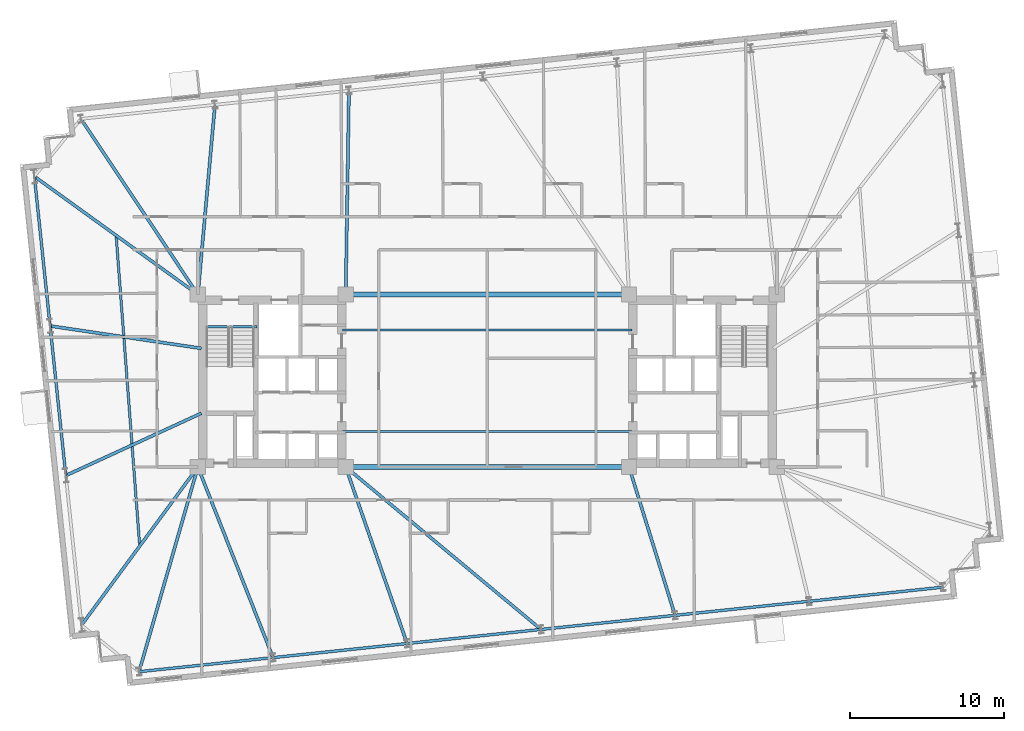
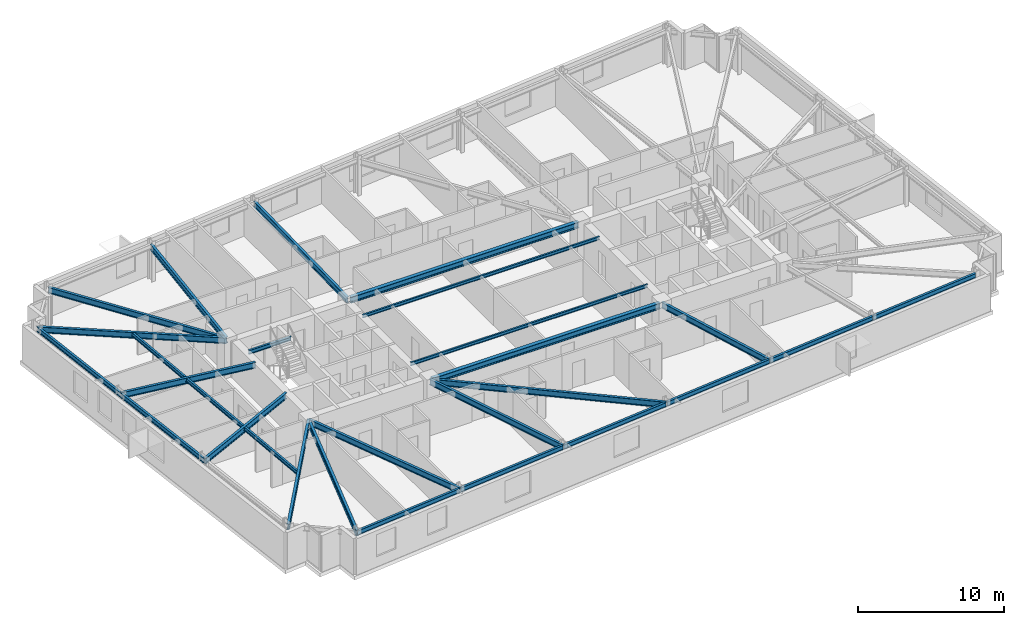
# One storey, part 5 of 19: 26 beams.
"""IFC4 building model written with IfcOpenShell, lengths in metres."""

from ifc_helpers import new_model, si_unit, direction, frame, origin, origin_2d, place, context, subcontext, project, spatial, i_section, extrude, material, material_profile, profile_set, type_object, element, save


model = new_model("IFC4")

# Units and contexts
model_context = context("Model", 3, precision=1e-05, world=origin(), true_north=direction((0.0, 1.0)))
body_context = subcontext(model_context, "Body", "Model", "MODEL_VIEW")
ifc_project = project(units=[si_unit("LENGTHUNIT", "METRE"), si_unit("AREAUNIT", "SQUARE_METRE"), si_unit("VOLUMEUNIT", "CUBIC_METRE"), si_unit("PLANEANGLEUNIT", "RADIAN"), si_unit("MASSUNIT", "GRAM", prefix="KILO")], contexts=[model_context])

# Site, building, storey
site_placement = place(None, origin())
site = spatial("IfcSite", under=ifc_project, at=site_placement, CompositionType="ELEMENT")
building_placement = place(site_placement, origin())
building = spatial("IfcBuilding", under=site, at=building_placement, Name="Qobustan Lattice House", CompositionType="ELEMENT")
storey_placement = place(building_placement, frame((0.0, 0.0, 85.699951171875)))
storey = spatial("IfcBuildingStorey", under=building, at=storey_placement, Name="L23", CompositionType="ELEMENT", Elevation=85.699951171875)

# Beams
ifc_material_1 = material(Name="Steel S355", Category="steel")
ifc_material_profile_1 = material_profile(ifc_material_1, i_section(OverallWidth=0.300048828125, OverallDepth=0.5, WebThickness=0.014404296875, FlangeThickness=0.028076171875, FilletRadius=0.027099609375, at=origin_2d()), Name="HEB500")
ifc_profile_set_1 = profile_set([ifc_material_profile_1], Name="Steel S355")
beam_type_1 = type_object("IfcBeamType", Name="BM-CG-HEB500", PredefinedType="USERDEFINED", material=ifc_profile_set_1)
for number, where, z_axis, x_axis, name in (
    (1, (-9.050048828125, -5.60009765625, 2.795166015625), (1.0, 0.0, 0.0), (0.0, 1.0, 0.0), "L23 core spine girder CG-CS"),
    (2, (-9.050048828125, 5.60009765625, 2.795166015625), (1.0, 0.0, 0.0), (0.0, 1.0, 0.0), "L23 core spine girder CG-CN"),
):
    element("IfcBeam", number, at=place(storey_placement, frame(where, z_axis=z_axis, x_axis=x_axis)), inside=storey, type_object=beam_type_1, Name=name, ObjectType="GIRDER", PredefinedType="USERDEFINED", context=body_context, shape_type="SweptSolid", body=[
        extrude(i_section(OverallWidth=0.300048828125, OverallDepth=0.5, WebThickness=0.014404296875, FlangeThickness=0.028076171875, FilletRadius=0.027099609375, at=origin_2d()), origin(), (0.0, 0.0, 1.0), 18.10009765625),
    ])
ifc_material_2 = material(Name="Steel S355", Category="steel")
ifc_material_profile_2 = material_profile(ifc_material_2, i_section(OverallWidth=0.199951171875, OverallDepth=0.5, WebThickness=0.01025390625, FlangeThickness=0.01611328125, FilletRadius=0.02099609375, at=origin_2d()), Name="IPE500")
ifc_profile_set_2 = profile_set([ifc_material_profile_2], Name="Steel S355")
beam_type_2 = type_object("IfcBeamType", Name="BM-FLG-IPE500", PredefinedType="USERDEFINED", material=ifc_profile_set_2)
beam_1_placement = place(storey_placement, frame((-22.612548828125, -18.87109375, 2.795166015625), z_axis=(0.276115177845, 0.961124554136, 0.0), x_axis=(-0.961124554136, 0.276115177845, 0.0)))
element("IfcBeam", 3, at=beam_1_placement, inside=storey, type_object=beam_type_2, Name="L23 primary floor girder RAD-S1W", ObjectType="GIRDER", PredefinedType="USERDEFINED", context=body_context, shape_type="SweptSolid", body=[
    extrude(i_section(OverallWidth=0.199951171875, OverallDepth=0.5, WebThickness=0.01025390625, FlangeThickness=0.01611328125, FilletRadius=0.02099609375, at=origin_2d()), origin(), (0.0, 0.0, 1.0), 13.782958984375),
])
beam_2_placement = place(storey_placement, frame((-13.926513671875, -17.95703125, 2.795166015625), z_axis=(-0.366884358141, 0.930266557365, 0.0), x_axis=(-0.930266557365, -0.366884358141, 0.0)))
element("IfcBeam", 4, at=beam_2_placement, inside=storey, type_object=beam_type_2, Name="L23 primary floor girder RAD-S2", ObjectType="GIRDER", PredefinedType="USERDEFINED", context=body_context, shape_type="SweptSolid", body=[
    extrude(i_section(OverallWidth=0.199951171875, OverallDepth=0.5, WebThickness=0.01025390625, FlangeThickness=0.01611328125, FilletRadius=0.02099609375, at=origin_2d()), origin(), (0.0, 0.0, 1.0), 13.25830078125),
])
beam_3_placement = place(storey_placement, frame((-5.223388671875, -17.0419921875, 2.795166015625), z_axis=(-0.328289533586, 0.94457714462, 0.0), x_axis=(-0.94457714462, -0.328289533586, 0.0)))
element("IfcBeam", 5, at=beam_3_placement, inside=storey, type_object=beam_type_2, Name="L23 primary floor girder RAD-S3", ObjectType="GIRDER", PredefinedType="USERDEFINED", context=body_context, shape_type="SweptSolid", body=[
    extrude(i_section(OverallWidth=0.199951171875, OverallDepth=0.5, WebThickness=0.01025390625, FlangeThickness=0.01611328125, FilletRadius=0.02099609375, at=origin_2d()), origin(), (0.0, 0.0, 1.0), 12.08837890625),
])
beam_4_placement = place(storey_placement, frame((3.467529296875, -16.135009765625, 2.795166015625), z_axis=(-0.768858311844, 0.639419186691, 0.0), x_axis=(-0.639419186691, -0.768858311844, 0.0)))
element("IfcBeam", 6, at=beam_4_placement, inside=storey, type_object=beam_type_2, Name="L23 primary floor girder RAD-S4", ObjectType="GIRDER", PredefinedType="USERDEFINED", context=body_context, shape_type="SweptSolid", body=[
    extrude(i_section(OverallWidth=0.199951171875, OverallDepth=0.5, WebThickness=0.01025390625, FlangeThickness=0.01611328125, FilletRadius=0.02099609375, at=origin_2d()), origin(), (0.0, 0.0, 1.0), 16.450927734375),
])
beam_5_placement = place(storey_placement, frame((12.181396484375, -15.212646484375, 2.795166015625), z_axis=(-0.296219460995, 0.955119903953, 0.0), x_axis=(-0.955119903953, -0.296219460995, 0.0)))
element("IfcBeam", 7, at=beam_5_placement, inside=storey, type_object=beam_type_2, Name="L23 primary floor girder RAD-S5", ObjectType="GIRDER", PredefinedType="USERDEFINED", context=body_context, shape_type="SweptSolid", body=[
    extrude(i_section(OverallWidth=0.199951171875, OverallDepth=0.5, WebThickness=0.01025390625, FlangeThickness=0.01611328125, FilletRadius=0.02099609375, at=origin_2d()), origin(), (0.0, 0.0, 1.0), 10.03955078125),
])
beam_6_placement = place(storey_placement, frame((-26.37890625, 16.986328125, 2.795166015625), z_axis=(0.5540893103, -0.832457227857, 0.0), x_axis=(0.832457227857, 0.5540893103, 0.0)))
element("IfcBeam", 8, at=beam_6_placement, inside=storey, type_object=beam_type_2, Name="L23 primary floor girder RAD-N7W", ObjectType="GIRDER", PredefinedType="USERDEFINED", context=body_context, shape_type="SweptSolid", body=[
    extrude(i_section(OverallWidth=0.199951171875, OverallDepth=0.5, WebThickness=0.01025390625, FlangeThickness=0.01611328125, FilletRadius=0.02099609375, at=origin_2d()), origin(), (0.0, 0.0, 1.0), 13.65283203125),
])
beam_7_placement = place(storey_placement, frame((-17.693115234375, 17.89697265625, 2.795166015625), z_axis=(-0.089658533603, -0.995972563554, 0.0), x_axis=(0.995972563554, -0.089658533603, 0.0)))
element("IfcBeam", 9, at=beam_7_placement, inside=storey, type_object=beam_type_2, Name="L23 primary floor girder RAD-N6", ObjectType="GIRDER", PredefinedType="USERDEFINED", context=body_context, shape_type="SweptSolid", body=[
    extrude(i_section(OverallWidth=0.199951171875, OverallDepth=0.5, WebThickness=0.01025390625, FlangeThickness=0.01611328125, FilletRadius=0.02099609375, at=origin_2d()), origin(), (0.0, 0.0, 1.0), 12.321533203125),
])
beam_8_placement = place(storey_placement, frame((-8.9892578125, 18.8115234375, 2.795166015625), z_axis=(-0.015957384359, -0.999872672836, 0.0), x_axis=(0.999872672836, -0.015957384359, 0.0)))
element("IfcBeam", 10, at=beam_8_placement, inside=storey, type_object=beam_type_2, Name="L23 primary floor girder RAD-N5", ObjectType="GIRDER", PredefinedType="USERDEFINED", context=body_context, shape_type="SweptSolid", body=[
    extrude(i_section(OverallWidth=0.199951171875, OverallDepth=0.5, WebThickness=0.01025390625, FlangeThickness=0.01611328125, FilletRadius=0.02099609375, at=origin_2d()), origin(), (0.0, 0.0, 1.0), 13.188232421875),
])
beam_9_placement = place(storey_placement, frame((-29.398681640625, 13.255859375, 2.795166015625), z_axis=(0.810627425394, -0.585562274399, 0.0), x_axis=(0.585562274399, 0.810627425394, 0.0)))
element("IfcBeam", 11, at=beam_9_placement, inside=storey, type_object=beam_type_2, Name="L23 primary floor girder RAD-W1", ObjectType="GIRDER", PredefinedType="USERDEFINED", context=body_context, shape_type="SweptSolid", body=[
    extrude(i_section(OverallWidth=0.199951171875, OverallDepth=0.5, WebThickness=0.01025390625, FlangeThickness=0.01611328125, FilletRadius=0.02099609375, at=origin_2d()), origin(), (0.0, 0.0, 1.0), 13.049560546875),
])
beam_10_placement = place(storey_placement, frame((-28.373291015625, 3.5537109375, 2.795166015625), z_axis=(0.989228195022, -0.146381618294, 0.0), x_axis=(0.146381618294, 0.989228195022, 0.0)))
element("IfcBeam", 12, at=beam_10_placement, inside=storey, type_object=beam_type_2, Name="L23 primary floor girder RAD-W2", ObjectType="GIRDER", PredefinedType="USERDEFINED", context=body_context, shape_type="SweptSolid", body=[
    extrude(i_section(OverallWidth=0.199951171875, OverallDepth=0.5, WebThickness=0.01025390625, FlangeThickness=0.01611328125, FilletRadius=0.02099609375, at=origin_2d()), origin(), (0.0, 0.0, 1.0), 9.9052734375),
])
beam_11_placement = place(storey_placement, frame((-27.3544921875, -6.1455078125, 2.795166015625), z_axis=(0.908664928826, 0.417526103521, 0.0), x_axis=(-0.417526103521, 0.908664928826, 0.0)))
element("IfcBeam", 13, at=beam_11_placement, inside=storey, type_object=beam_type_2, Name="L23 primary floor girder RAD-W3", ObjectType="GIRDER", PredefinedType="USERDEFINED", context=body_context, shape_type="SweptSolid", body=[
    extrude(i_section(OverallWidth=0.199951171875, OverallDepth=0.5, WebThickness=0.01025390625, FlangeThickness=0.01611328125, FilletRadius=0.02099609375, at=origin_2d()), origin(), (0.0, 0.0, 1.0), 9.66455078125),
])
beam_12_placement = place(storey_placement, frame((-26.34130859375, -15.848876953125, 2.795166015625), z_axis=(0.592669703312, 0.805445605101, 0.0), x_axis=(-0.805445605101, 0.592669703312, 0.0)))
element("IfcBeam", 14, at=beam_12_placement, inside=storey, type_object=beam_type_2, Name="L23 primary floor girder RAD-W4", ObjectType="GIRDER", PredefinedType="USERDEFINED", context=body_context, shape_type="SweptSolid", body=[
    extrude(i_section(OverallWidth=0.199951171875, OverallDepth=0.5, WebThickness=0.01025390625, FlangeThickness=0.01611328125, FilletRadius=0.02099609375, at=origin_2d()), origin(), (0.0, 0.0, 1.0), 12.699462890625),
])
ifc_material_3 = material(Name="Steel S355", Category="steel")
ifc_material_profile_3 = material_profile(ifc_material_3, i_section(OverallWidth=0.135009765625, OverallDepth=0.27001953125, WebThickness=0.006591796875, FlangeThickness=0.01025390625, FilletRadius=0.014892578125, at=origin_2d()), Name="IPE270")
ifc_profile_set_3 = profile_set([ifc_material_profile_3], Name="Steel S355")
beam_type_3 = type_object("IfcBeamType", Name="BM-JST-IPE270", PredefinedType="JOIST", material=ifc_profile_set_3)
for number, where, z_axis, x_axis, name in (
    (15, (-9.39990234375, -3.300048828125, 2.91015625), (1.0, 0.0, 0.0), (0.0, 1.0, 0.0), "L23 central span floor joist 1"),
    (16, (-9.39990234375, 3.300048828125, 2.91015625), (1.0, 0.0, 0.0), (0.0, 1.0, 0.0), "L23 central span floor joist 2"),
):
    element("IfcBeam", number, at=place(storey_placement, frame(where, z_axis=z_axis, x_axis=x_axis)), inside=storey, type_object=beam_type_3, Name=name, PredefinedType="JOIST", context=body_context, shape_type="SweptSolid", body=[
        extrude(i_section(OverallWidth=0.135009765625, OverallDepth=0.27001953125, WebThickness=0.006591796875, FlangeThickness=0.01025390625, FilletRadius=0.014892578125, at=origin_2d()), origin(), (0.0, 0.0, 1.0), 18.7998046875),
    ])
ifc_material_4 = material(Name="Steel S355", Category="steel")
ifc_material_profile_4 = material_profile(ifc_material_4, i_section(OverallWidth=0.159912109375, OverallDepth=0.330078125, WebThickness=0.007568359375, FlangeThickness=0.011474609375, FilletRadius=0.01806640625, at=origin_2d()), Name="IPE330")
ifc_profile_set_4 = profile_set([ifc_material_profile_4], Name="Steel S355")
beam_type_4 = type_object("IfcBeamType", Name="BM-SEC-IPE330", PredefinedType="BEAM", material=ifc_profile_set_4)
beam_13_placement = place(storey_placement, frame((-24.109619140625, 9.435302734375, 2.880126953125), z_axis=(0.07571166528, -0.997129752711, 0.0), x_axis=(0.997129752711, 0.07571166528, 0.0)))
element("IfcBeam", 17, at=beam_13_placement, inside=storey, type_object=beam_type_4, Name="L23 west wing secondary beam", PredefinedType="BEAM", context=body_context, shape_type="SweptSolid", body=[
    extrude(i_section(OverallWidth=0.159912109375, OverallDepth=0.330078125, WebThickness=0.007568359375, FlangeThickness=0.011474609375, FilletRadius=0.01806640625, at=origin_2d()), origin(), (0.0, 0.0, 1.0), 20.22802734375),
])
ifc_material_5 = material(Name="Steel S355", Category="steel")
ifc_material_profile_5 = material_profile(ifc_material_5, i_section(OverallWidth=0.159912109375, OverallDepth=0.330078125, WebThickness=0.007568359375, FlangeThickness=0.011474609375, FilletRadius=0.01806640625, at=origin_2d()), Name="IPE330")
ifc_profile_set_5 = profile_set([ifc_material_profile_5], Name="Steel S355")
beam_type_5 = type_object("IfcBeamType", Name="BM-SPD-IPE330", PredefinedType="SPANDREL", material=ifc_profile_set_5)
beam_14_placement = place(storey_placement, frame((-18.300048828125, 3.52001953125, 2.880126953125), z_axis=(1.0, 0.0, 0.0), x_axis=(0.0, 1.0, 0.0)))
element("IfcBeam", 18, at=beam_14_placement, inside=storey, type_object=beam_type_5, Name="L23 west stair landing trimmer beam", PredefinedType="SPANDREL", context=body_context, shape_type="SweptSolid", body=[
    extrude(i_section(OverallWidth=0.159912109375, OverallDepth=0.330078125, WebThickness=0.007568359375, FlangeThickness=0.011474609375, FilletRadius=0.01806640625, at=origin_2d()), origin(), (0.0, 0.0, 1.0), 3.35009765625),
])
ifc_material_6 = material(Name="Steel S355", Category="steel")
ifc_material_profile_6 = material_profile(ifc_material_6, i_section(OverallWidth=0.179931640625, OverallDepth=0.39990234375, WebThickness=0.008544921875, FlangeThickness=0.013427734375, FilletRadius=0.02099609375, at=origin_2d()), Name="IPE400")
ifc_profile_set_6 = profile_set([ifc_material_profile_6], Name="Steel S355")
beam_type_6 = type_object("IfcBeamType", Name="BM-SPD-IPE400", PredefinedType="SPANDREL", material=ifc_profile_set_6)
beam_15_placement = place(storey_placement, frame((-22.594482421875, -18.892333984375, 2.844970703125), z_axis=(0.994521279781, 0.10453432002, 0.0), x_axis=(-0.10453432002, 0.994521279781, 0.0)))
element("IfcBeam", 19, at=beam_15_placement, inside=storey, type_object=beam_type_6, Name="L23 perimeter spandrel S1-S2", PredefinedType="SPANDREL", context=body_context, shape_type="SweptSolid", body=[
    extrude(i_section(OverallWidth=0.179931640625, OverallDepth=0.39990234375, WebThickness=0.008544921875, FlangeThickness=0.013427734375, FilletRadius=0.02099609375, at=origin_2d()), origin(), (0.0, 0.0, 1.0), 8.69970703125),
])
for number, where, z_axis, x_axis, name in (
    (20, (-13.892578125, -17.977783203125, 2.844970703125), (0.994521586424, 0.104531402636, 0.0), (-0.104531402636, 0.994521586424, 0.0), "L23 perimeter spandrel S2-S3"),
    (21, (-5.1904296875, -17.06298828125, 2.844970703125), (0.994524503348, 0.104503647022, 0.0), (-0.104503647022, 0.994524503348, 0.0), "L23 perimeter spandrel S3-S4"),
):
    element("IfcBeam", number, at=place(storey_placement, frame(where, z_axis=z_axis, x_axis=x_axis)), inside=storey, type_object=beam_type_6, Name=name, PredefinedType="SPANDREL", context=body_context, shape_type="SweptSolid", body=[
        extrude(i_section(OverallWidth=0.179931640625, OverallDepth=0.39990234375, WebThickness=0.008544921875, FlangeThickness=0.013427734375, FilletRadius=0.02099609375, at=origin_2d()), origin(), (0.0, 0.0, 1.0), 8.699951171875),
    ])
beam_16_placement = place(storey_placement, frame((3.51171875, -16.1484375, 2.844970703125), z_axis=(0.994521279781, 0.10453432002, 0.0), x_axis=(-0.10453432002, 0.994521279781, 0.0)))
element("IfcBeam", 22, at=beam_16_placement, inside=storey, type_object=beam_type_6, Name="L23 perimeter spandrel S4-S5", PredefinedType="SPANDREL", context=body_context, shape_type="SweptSolid", body=[
    extrude(i_section(OverallWidth=0.179931640625, OverallDepth=0.39990234375, WebThickness=0.008544921875, FlangeThickness=0.013427734375, FilletRadius=0.02099609375, at=origin_2d()), origin(), (0.0, 0.0, 1.0), 8.69970703125),
])
for number, where, z_axis, x_axis, name in (
    (23, (12.213623046875, -15.23388671875, 2.844970703125), (0.994521586424, 0.104531402636, 0.0), (-0.104531402636, 0.994521586424, 0.0), "L23 perimeter spandrel S5-S6"),
    (24, (20.915771484375, -14.3193359375, 2.844970703125), (0.994521586424, 0.104531402636, 0.0), (-0.104531402636, 0.994521586424, 0.0), "L23 perimeter spandrel S6-S7"),
):
    element("IfcBeam", number, at=place(storey_placement, frame(where, z_axis=z_axis, x_axis=x_axis)), inside=storey, type_object=beam_type_6, Name=name, PredefinedType="SPANDREL", context=body_context, shape_type="SweptSolid", body=[
        extrude(i_section(OverallWidth=0.179931640625, OverallDepth=0.39990234375, WebThickness=0.008544921875, FlangeThickness=0.013427734375, FilletRadius=0.02099609375, at=origin_2d()), origin(), (0.0, 0.0, 1.0), 8.699951171875),
    ])
beam_17_placement = place(storey_placement, frame((-29.416259765625, 13.24560546875, 2.844970703125), z_axis=(0.104525214252, -0.994522236848, 0.0), x_axis=(0.994522236848, 0.104525214252, 0.0)))
element("IfcBeam", 25, at=beam_17_placement, inside=storey, type_object=beam_type_6, Name="L23 perimeter spandrel W1-W2", PredefinedType="SPANDREL", context=body_context, shape_type="SweptSolid", body=[
    extrude(i_section(OverallWidth=0.179931640625, OverallDepth=0.39990234375, WebThickness=0.008544921875, FlangeThickness=0.013427734375, FilletRadius=0.02099609375, at=origin_2d()), origin(), (0.0, 0.0, 1.0), 9.716552734375),
])
beam_18_placement = place(storey_placement, frame((-28.3955078125, 3.532470703125, 2.844970703125), z_axis=(0.104547453407, -0.994519899241, 0.0), x_axis=(0.994519899241, 0.104547453407, 0.0)))
element("IfcBeam", 26, at=beam_18_placement, inside=storey, type_object=beam_type_6, Name="L23 perimeter spandrel W2-W3", PredefinedType="SPANDREL", context=body_context, shape_type="SweptSolid", body=[
    extrude(i_section(OverallWidth=0.179931640625, OverallDepth=0.39990234375, WebThickness=0.008544921875, FlangeThickness=0.013427734375, FilletRadius=0.02099609375, at=origin_2d()), origin(), (0.0, 0.0, 1.0), 9.716796875),
])

save(model, "model.ifc")
